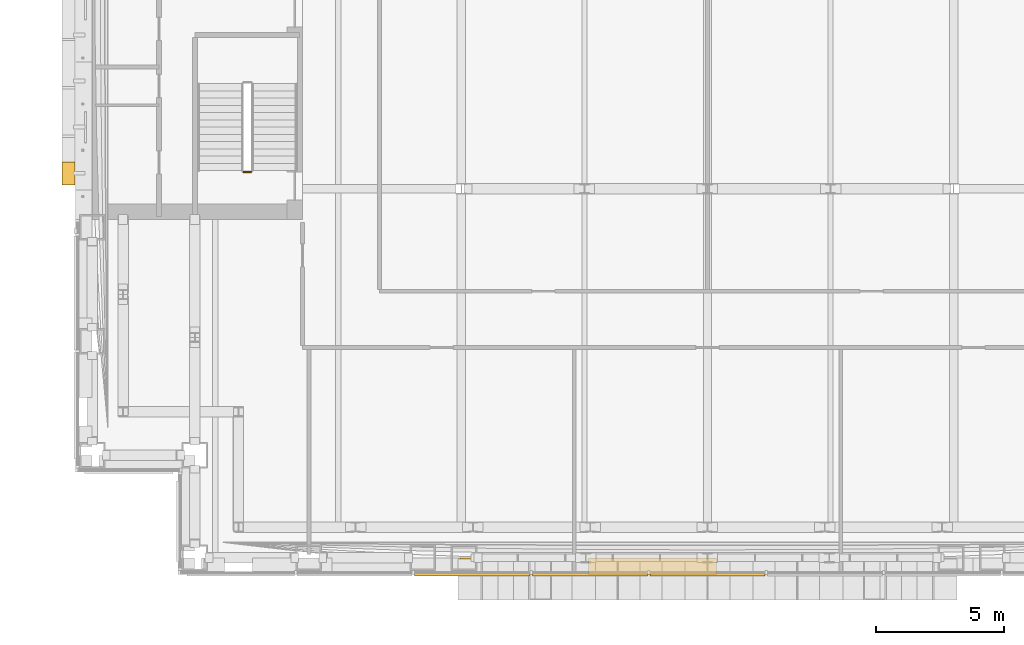
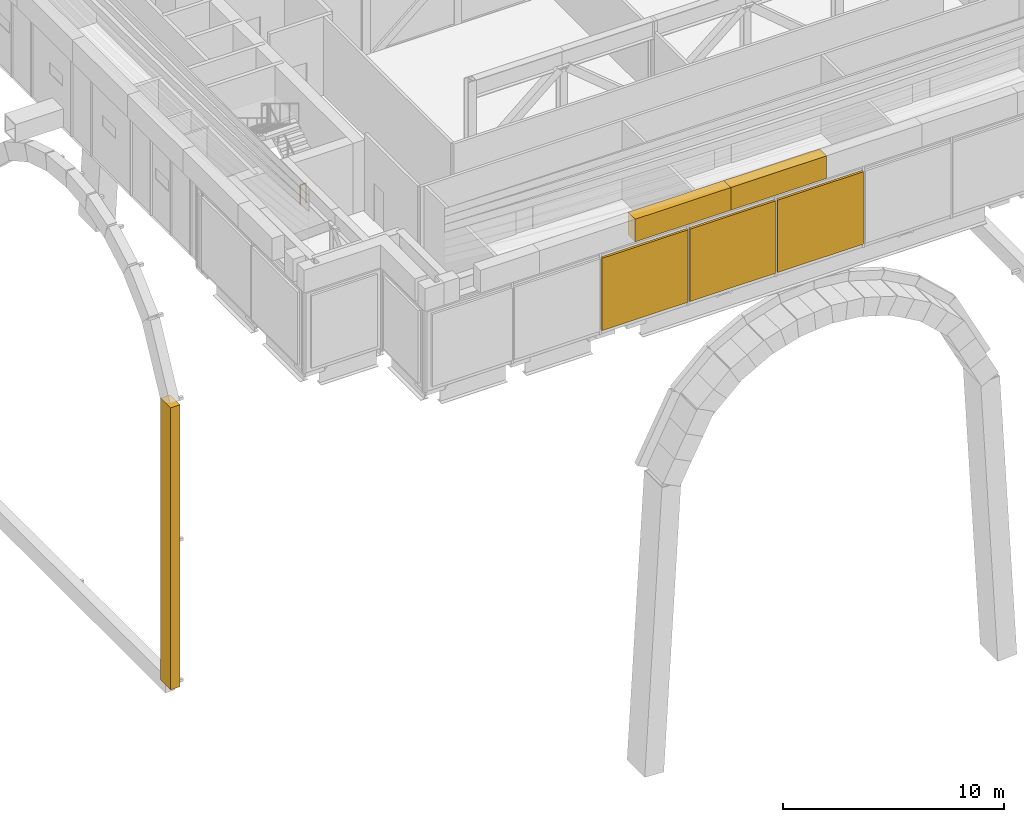
# One storey, part 22 of 39: 6 coverings, 1 railing.
"""IFC4 building model written with IfcOpenShell, lengths in metres."""

from ifc_helpers import new_model, si_unit, direction, frame, origin, origin_2d, place, context, subcontext, project, spatial, polyline, rectangle, circle, outline, extrude, material, material_profile, profile_set, type_object, element, save


model = new_model("IFC4")

# Units and contexts
model_context = context("Model", 3, precision=1e-05, world=origin(), true_north=direction((0.0, 1.0)))
body_context = subcontext(model_context, "Body", "Model", "MODEL_VIEW")
ifc_project = project(units=[si_unit("LENGTHUNIT", "METRE"), si_unit("AREAUNIT", "SQUARE_METRE"), si_unit("VOLUMEUNIT", "CUBIC_METRE"), si_unit("PLANEANGLEUNIT", "RADIAN"), si_unit("MASSUNIT", "GRAM", prefix="KILO")], contexts=[model_context])

# Site, building, storey
site_placement = place(None, origin())
site = spatial("IfcSite", under=ifc_project, at=site_placement, CompositionType="ELEMENT")
building_placement = place(site_placement, origin())
building = spatial("IfcBuilding", under=site, at=building_placement, Name="Cobrizo Arcos Hotel Tower", CompositionType="ELEMENT")
storey_placement = place(building_placement, frame((0.0, 0.0, 84.5)))
storey = spatial("IfcBuildingStorey", under=building, at=storey_placement, Name="L20", CompositionType="ELEMENT", Elevation=84.5)

# Coverings
ifc_material_1 = material(Name="Aluminium 6063-T6 anodised pale", Category="aluminium")
ifc_material_profile = material_profile(ifc_material_1, rectangle(XDim=0.5, YDim=0.89990234375, at=origin_2d()), Name="AF-2 core arch rim 500x900")
ifc_profile_set = profile_set([ifc_material_profile], Name="Aluminium 6063-T6 anodised pale")
covering_type_1 = type_object("IfcCoveringType", Name="AF-2 core arch rim 500x900", PredefinedType="CLADDING", material=ifc_profile_set)
covering_1_placement = place(storey_placement, frame((-24.925048828125, -9.0, -24.050048828125), z_axis=(0.0, 0.0, 1.0), x_axis=(1.0, 0.0, 0.0)))
element("IfcCovering", 1, at=covering_1_placement, inside=storey, type_object=covering_type_1, Name="Arch rim A W face", PredefinedType="CLADDING", context=body_context, shape_type="SweptSolid", body=[
    extrude(rectangle(XDim=0.5, YDim=0.89990234375, at=origin_2d()), origin(), (0.0, 0.0, 1.0), 15.58984375),
])
covering_type_2 = type_object("IfcCoveringType", Name="LF-1 setback skirt", PredefinedType="CLADDING", material=ifc_material_1)
covering_2_placement = place(storey_placement, frame((0.0, 0.0, 4.5)))
element("IfcCovering", 2, at=covering_2_placement, inside=storey, type_object=covering_type_2, Name="Setback skirt L20", PredefinedType="CLADDING", context=body_context, shape_type="SweptSolid", body=[
    extrude(outline(polyline([(-4.64990234375, -24.010009765625), (-9.64990234375, -24.010009765625), (-9.64990234375, -24.64990234375), (-4.64990234375, -24.64990234375), (-4.64990234375, -24.010009765625)])), origin(), (0.0, 0.0, 1.0), 1.25),
])
covering_3_placement = place(storey_placement, frame((0.0, 0.0, 4.5)))
element("IfcCovering", 3, at=covering_3_placement, inside=storey, type_object=covering_type_2, Name="Setback skirt L20", PredefinedType="CLADDING", context=body_context, shape_type="SweptSolid", body=[
    extrude(outline(polyline([(0.35009765625, -24.010009765625), (-4.64990234375, -24.010009765625), (-4.64990234375, -24.64990234375), (0.35009765625, -24.64990234375), (0.35009765625, -24.010009765625)])), origin(), (0.0, 0.0, 1.0), 1.25),
])
ifc_material_2 = material(Name="Aluminium 6063-T6 anodised bronze", Category="aluminium")
covering_type_3 = type_object("IfcCoveringType", Name="LV-1 plant louvre band", PredefinedType="CLADDING", material=ifc_material_2)
for number, where, z_axis, x_axis, name in (
    (4, (-9.177734375, -24.655029296875, 0.25), (0.0, 0.0, 1.0), (1.0, 0.0, 0.0), "louvre band 815"),
    (5, (-4.5888671875, -24.655029296875, 0.25), (0.0, 0.0, 1.0), (1.0, 0.0, 0.0), "louvre band 816"),
    (6, (0.0, -24.655029296875, 0.25), (0.0, 0.0, 1.0), (1.0, 0.0, 0.0), "louvre band 817"),
):
    element("IfcCovering", number, at=place(storey_placement, frame(where, z_axis=z_axis, x_axis=x_axis)), inside=storey, type_object=covering_type_3, Name=name, PredefinedType="CLADDING", context=body_context, shape_type="SweptSolid", body=[
        extrude(rectangle(XDim=4.48876953125, YDim=0.1201171875, at=origin_2d()), origin(), (0.0, 0.0, 1.0), 4.0),
    ])

# Railing
ifc_material_3 = material(Name="Stainless steel railing", Category="steel")
railing_type = type_object("IfcRailingType", Name="Stair guard 1100", PredefinedType="GUARDRAIL", material=ifc_material_3)
railing_placement = place(storey_placement, frame((-17.800048828125, -8.949951171875, 0.0)))
element("IfcRailing", 7, at=railing_placement, inside=storey, type_object=railing_type, Name="L20 ST-W stair guard 4", PredefinedType="GUARDRAIL", context=body_context, shape_type="SweptSolid", body=[
    extrude(circle(Radius=0.02392578125, at=origin_2d()), frame((0.0, 0.0, 1.076171875), z_axis=(-1.0, 0.0, 0.0), x_axis=(0.0, -1.0, 0.0)), (0.0, 0.0, 1.0), 0.300048828125),
    extrude(circle(Radius=0.02099609375, at=origin_2d()), origin(), (0.0, 0.0, 1.0), 1.052001953125),
    extrude(circle(Radius=0.02099609375, at=origin_2d()), frame((-0.300048828125, 0.0, 0.0)), (0.0, 0.0, 1.0), 1.052001953125),
])

save(model, "model.ifc")
